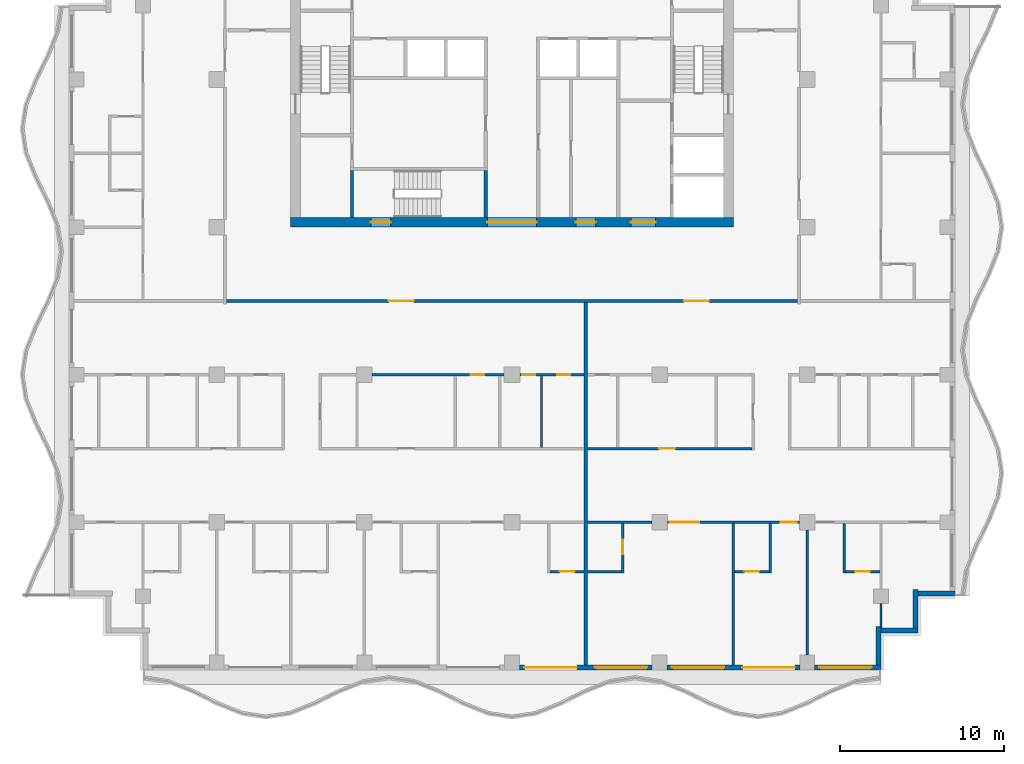
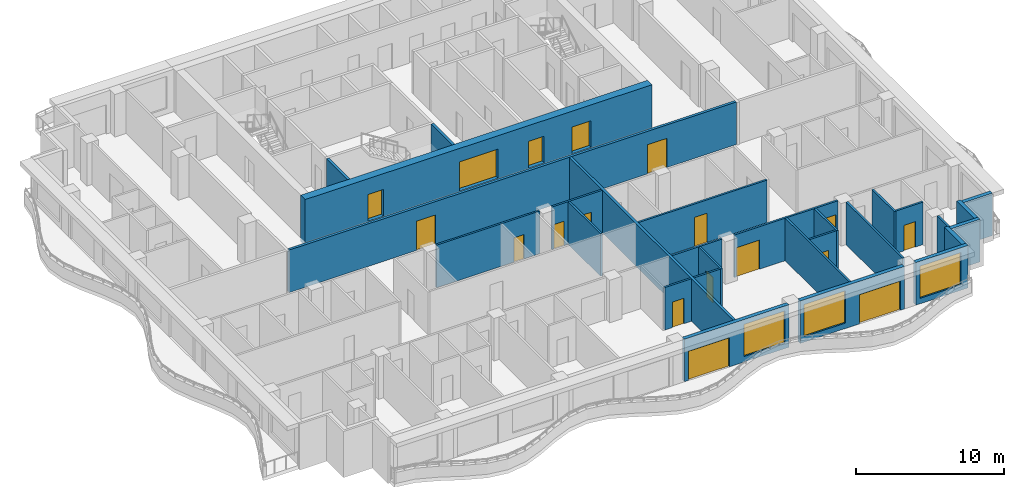
# One storey, part 3 of 12: 28 walls, 18 doors, 3 windows, 21 openings.
"""IFC4 building model written with IfcOpenShell, lengths in metres."""

from ifc_helpers import new_model, si_unit, direction, frame, frame_2d, origin, place, context, subcontext, project, spatial, rectangle, extrude, material, layer, layer_set, type_object, element, fill, save


model = new_model("IFC4")

# Units and contexts
model_context = context("Model", 3, precision=1e-05, world=origin(), true_north=direction((0.0, 1.0)))
body_context = subcontext(model_context, "Body", "Model", "MODEL_VIEW")
ifc_project = project(units=[si_unit("LENGTHUNIT", "METRE"), si_unit("AREAUNIT", "SQUARE_METRE"), si_unit("VOLUMEUNIT", "CUBIC_METRE"), si_unit("PLANEANGLEUNIT", "RADIAN"), si_unit("MASSUNIT", "GRAM", prefix="KILO")], contexts=[model_context])

# Site, building, storey
site_placement = place(None, origin())
site = spatial("IfcSite", under=ifc_project, at=site_placement, CompositionType="ELEMENT")
building_placement = place(site_placement, origin())
building = spatial("IfcBuilding", under=site, at=building_placement, Name="Orbiselva Terraces", CompositionType="ELEMENT")
storey_placement = place(building_placement, frame((0.0, 0.0, 265.4)))
storey = spatial("IfcBuildingStorey", under=building, at=storey_placement, Name="L67", CompositionType="ELEMENT", Elevation=265.4)

# Wall, openings, doors
ifc_material_1 = material(Name="Concrete C80/95", Category="concrete")
ifc_layer_1 = layer(ifc_material_1, 0.6)
ifc_layer_set_1 = layer_set([ifc_layer_1], Name="Concrete C80/95")
wall_type_1 = type_object("IfcWallType", Name="CORE WALL 600", PredefinedType="SHEAR", material=ifc_layer_set_1)
wall_1_placement = place(storey_placement, frame((-13.5, 4.8, -0.3), z_axis=(0.0, 0.0, 1.0), x_axis=(1.0, 0.0, 0.0)))
wall_1 = element("IfcWall", 1, at=wall_1_placement, inside=storey, type_object=wall_type_1, Name="Core wall L67 south", PredefinedType="SHEAR", context=body_context, shape_type="SweptSolid", body=[
    extrude(rectangle(XDim=27.0, YDim=0.6, at=frame_2d((13.5, 0.0))), origin(), (0.0, 0.0, 1.0), 3.8),
])
opening_1_placement = place(wall_1_placement, frame((12.0, 0.0, 0.3)))
opening_1 = element("IfcOpeningElement", 2, at=opening_1_placement, cuts=wall_1, Name="Opening DL3000", PredefinedType="OPENING", context=body_context, shape_type="SweptSolid", body=[
    extrude(rectangle(XDim=3.0, YDim=2.4, at=frame_2d((1.5, 1.2))), frame((0.0, 0.31, 0.0), z_axis=(0.0, -1.0, 0.0), x_axis=(1.0, 0.0, 0.0)), (0.0, 0.0, 1.0), 0.62),
])
opening_2_placement = place(wall_1_placement, frame((4.9, 0.0, 0.3)))
opening_2 = element("IfcOpeningElement", 3, at=opening_2_placement, cuts=wall_1, Name="Opening DS1200", PredefinedType="OPENING", context=body_context, shape_type="SweptSolid", body=[
    extrude(rectangle(XDim=1.2, YDim=2.2, at=frame_2d((0.6, 1.1))), frame((0.0, 0.31, 0.0), z_axis=(0.0, -1.0, 0.0), x_axis=(1.0, 0.0, 0.0)), (0.0, 0.0, 1.0), 0.62),
])
opening_3_placement = place(wall_1_placement, frame((20.75, 0.0, 0.3)))
opening_3 = element("IfcOpeningElement", 4, at=opening_3_placement, cuts=wall_1, Name="Opening DF1500", PredefinedType="OPENING", context=body_context, shape_type="SweptSolid", body=[
    extrude(rectangle(XDim=1.5, YDim=2.2, at=frame_2d((0.75, 1.1))), frame((0.0, 0.31, 0.0), z_axis=(0.0, -1.0, 0.0), x_axis=(1.0, 0.0, 0.0)), (0.0, 0.0, 1.0), 0.62),
])
opening_4_placement = place(wall_1_placement, frame((17.4, 0.0, 0.3)))
opening_4 = element("IfcOpeningElement", 5, at=opening_4_placement, cuts=wall_1, Name="Opening DV1200", PredefinedType="OPENING", context=body_context, shape_type="SweptSolid", body=[
    extrude(rectangle(XDim=1.2, YDim=2.2, at=frame_2d((0.6, 1.1))), frame((0.0, 0.31, 0.0), z_axis=(0.0, -1.0, 0.0), x_axis=(1.0, 0.0, 0.0)), (0.0, 0.0, 1.0), 0.62),
])
ifc_material_2 = material(Name="Steel fire door", Category="steel")
door_type_1 = type_object("IfcDoorType", Name="FFL DOOR 1500", OperationType="DOUBLE_DOOR_SINGLE_SWING", PredefinedType="DOOR", material=ifc_material_2)
door_1_placement = place(opening_3_placement, frame((1.5, 0.0, 0.0), z_axis=(0.0, 0.0, 1.0), x_axis=(-1.0, 0.0, 0.0)))
door_1 = element("IfcDoor", 6, at=door_1_placement, inside=storey, type_object=door_type_1, Name="L67 FIRE-FIGHTING LOBBY door", OperationType="DOUBLE_DOOR_SINGLE_SWING", OverallHeight=2.2, OverallWidth=1.5, PredefinedType="DOOR", context=body_context, shape_type="SweptSolid", body=[
    extrude(rectangle(XDim=1.5, YDim=2.2, at=frame_2d((0.75, 1.1))), frame((0.0, 0.025, 0.0), z_axis=(0.0, -1.0, 0.0), x_axis=(1.0, 0.0, 0.0)), (0.0, 0.0, 1.0), 0.05),
])
fill(opening_3, door_1)
door_type_2 = type_object("IfcDoorType", Name="LOBBY DOOR 3000", OperationType="DOUBLE_DOOR_SINGLE_SWING", PredefinedType="DOOR", material=ifc_material_2)
door_2_placement = place(opening_1_placement, frame((3.0, 0.0, 0.0), z_axis=(0.0, 0.0, 1.0), x_axis=(-1.0, 0.0, 0.0)))
door_2 = element("IfcDoor", 7, at=door_2_placement, inside=storey, type_object=door_type_2, Name="L67 LIFT LOBBY door", OperationType="DOUBLE_DOOR_SINGLE_SWING", OverallHeight=2.4, OverallWidth=3.0, PredefinedType="DOOR", context=body_context, shape_type="SweptSolid", body=[
    extrude(rectangle(XDim=3.0, YDim=2.4, at=frame_2d((1.5, 1.2))), frame((0.0, 0.025, 0.0), z_axis=(0.0, -1.0, 0.0), x_axis=(1.0, 0.0, 0.0)), (0.0, 0.0, 1.0), 0.05),
])
fill(opening_1, door_2)
door_type_3 = type_object("IfcDoorType", Name="SERVICE DOOR 1200", OperationType="NOTDEFINED", PredefinedType="DOOR", material=ifc_material_2)
door_3_placement = place(opening_4_placement, frame((1.2, 0.0, 0.0), z_axis=(0.0, 0.0, 1.0), x_axis=(-1.0, 0.0, 0.0)))
door_3 = element("IfcDoor", 8, at=door_3_placement, inside=storey, type_object=door_type_3, Name="L67 SERVICE ROOM door", OperationType="SINGLE_SWING_RIGHT", OverallHeight=2.2, OverallWidth=1.2, PredefinedType="DOOR", context=body_context, shape_type="SweptSolid", body=[
    extrude(rectangle(XDim=1.2, YDim=2.2, at=frame_2d((0.6, 1.1))), frame((0.0, 0.025, 0.0), z_axis=(0.0, -1.0, 0.0), x_axis=(1.0, 0.0, 0.0)), (0.0, 0.0, 1.0), 0.05),
])
fill(opening_4, door_3)
door_type_4 = type_object("IfcDoorType", Name="STAIR DOOR 1200", OperationType="NOTDEFINED", PredefinedType="DOOR", material=ifc_material_2)
door_4_placement = place(opening_2_placement, frame((1.2, 0.0, 0.0), z_axis=(0.0, 0.0, 1.0), x_axis=(-1.0, 0.0, 0.0)))
door_4 = element("IfcDoor", 9, at=door_4_placement, inside=storey, type_object=door_type_4, Name="L67 EXIT STAIR S3 door", OperationType="SINGLE_SWING_LEFT", OverallHeight=2.2, OverallWidth=1.2, PredefinedType="DOOR", context=body_context, shape_type="SweptSolid", body=[
    extrude(rectangle(XDim=1.2, YDim=2.2, at=frame_2d((0.6, 1.1))), frame((0.0, 0.025, 0.0), z_axis=(0.0, -1.0, 0.0), x_axis=(1.0, 0.0, 0.0)), (0.0, 0.0, 1.0), 0.05),
])
fill(opening_2, door_4)

# Walls
ifc_material_3 = material(Name="Concrete C60/75", Category="concrete")
ifc_layer_2 = layer(ifc_material_3, 0.2)
ifc_layer_set_2 = layer_set([ifc_layer_2], Name="Concrete C60/75")
wall_type_2 = type_object("IfcWallType", Name="CORE-WALL-SHEAR-200", PredefinedType="SHEAR", material=ifc_layer_set_2)
for number, where, z_axis, x_axis, name in (
    (10, (-9.75, 5.1, 0.0), (0.0, 0.0, 1.0), (0.0, 1.0, 0.0), "L67 core wall 03"),
    (11, (-1.6, 5.1, 0.0), (0.0, 0.0, 1.0), (0.0, 1.0, 0.0), "L67 core wall 18"),
):
    element("IfcWall", number, at=place(storey_placement, frame(where, z_axis=z_axis, x_axis=x_axis)), inside=storey, type_object=wall_type_2, Name=name, PredefinedType="SHEAR", context=body_context, shape_type="SweptSolid", body=[
        extrude(rectangle(XDim=2.85, YDim=0.2, at=frame_2d((1.425, 0.0))), origin(), (0.0, 0.0, 1.0), 3.5),
    ])

# Wall, openings, door, window
ifc_material_4 = material(Name="Terracotta cladding on masonry backing", Category="masonry")
ifc_layer_3 = layer(ifc_material_4, 0.3)
ifc_layer_set_3 = layer_set([ifc_layer_3], Name="Terracotta cladding on masonry backing")
wall_type_3 = type_object("IfcWallType", Name="ENV-WALL-TERRACOTTA-300", PredefinedType="SOLIDWALL", material=ifc_layer_set_3)
wall_2_placement = place(storey_placement, frame((8.55, -22.35, 0.0), z_axis=(0.0, 0.0, 1.0), x_axis=(-1.0, 0.0, 0.0)))
wall_2 = element("IfcWall", 12, at=wall_2_placement, inside=storey, type_object=wall_type_3, Name="Facade wall L67 S", PredefinedType="SOLIDWALL", context=body_context, shape_type="SweptSolid", body=[
    extrude(rectangle(XDim=8.1, YDim=0.3, at=frame_2d((4.05, 0.0))), origin(), (0.0, 0.0, 1.0), 3.5),
])
opening_5_placement = place(wall_2_placement, frame((4.6, 0.0, 0.0)))
opening_5 = element("IfcOpeningElement", 13, at=opening_5_placement, cuts=wall_2, Name="Opening Z5-C-E03", PredefinedType="OPENING", context=body_context, shape_type="SweptSolid", body=[
    extrude(rectangle(XDim=3.2, YDim=2.4, at=frame_2d((1.6, 1.2))), frame((0.0, 0.16, 0.0), z_axis=(0.0, -1.0, 0.0), x_axis=(1.0, 0.0, 0.0)), (0.0, 0.0, 1.0), 0.32),
])
opening_6_placement = place(wall_2_placement, frame((0.3, 0.0, 0.45)))
opening_6 = element("IfcOpeningElement", 14, at=opening_6_placement, cuts=wall_2, Name="Opening WN17", PredefinedType="OPENING", context=body_context, shape_type="SweptSolid", body=[
    extrude(rectangle(XDim=3.2, YDim=2.65, at=frame_2d((1.6, 1.325))), frame((0.0, 0.16, 0.0), z_axis=(0.0, -1.0, 0.0), x_axis=(1.0, 0.0, 0.0)), (0.0, 0.0, 1.0), 0.32),
])
ifc_material_5 = material(Name="Clear low-e glazing in aluminium frame", Category="aluminium")
door_type_5 = type_object("IfcDoorType", Name="BALCONY DOOR 3200 X 2400", OperationType="DOUBLE_DOOR_SLIDING", PredefinedType="DOOR", material=ifc_material_5)
door_5_placement = place(opening_5_placement, origin())
door_5 = element("IfcDoor", 15, at=door_5_placement, inside=storey, type_object=door_type_5, Name="Z5-C-E03", OperationType="SINGLE_SWING_LEFT", OverallHeight=2.4, OverallWidth=3.2, PredefinedType="DOOR", context=body_context, shape_type="SweptSolid", body=[
    extrude(rectangle(XDim=3.2, YDim=2.4, at=frame_2d((1.6, 1.2))), frame((0.0, 0.025, 0.0), z_axis=(0.0, -1.0, 0.0), x_axis=(1.0, 0.0, 0.0)), (0.0, 0.0, 1.0), 0.05),
])
fill(opening_5, door_5)
window_type = type_object("IfcWindowType", Name="WINDOW 3200 X 2650 S450", PartitioningType="TRIPLE_PANEL_VERTICAL", PredefinedType="WINDOW", material=ifc_material_5)
window_1_placement = place(opening_6_placement, origin())
window_1 = element("IfcWindow", 16, at=window_1_placement, inside=storey, type_object=window_type, Name="Window L67 S", OverallHeight=2.65, OverallWidth=3.2, PartitioningType="SINGLE_PANEL", PredefinedType="WINDOW", context=body_context, shape_type="SweptSolid", body=[
    extrude(rectangle(XDim=3.2, YDim=2.65, at=frame_2d((1.6, 1.325))), frame((0.0, 0.03, 0.0), z_axis=(0.0, -1.0, 0.0), x_axis=(1.0, 0.0, 0.0)), (0.0, 0.0, 1.0), 0.06),
])
fill(opening_6, window_1)

wall_3_placement = place(storey_placement, frame((17.55, -22.35, 0.0), z_axis=(0.0, 0.0, 1.0), x_axis=(-1.0, 0.0, 0.0)))
wall_3 = element("IfcWall", 17, at=wall_3_placement, inside=storey, type_object=wall_type_3, Name="Facade wall L67 S", PredefinedType="SOLIDWALL", context=body_context, shape_type="SweptSolid", body=[
    extrude(rectangle(XDim=8.1, YDim=0.3, at=frame_2d((4.05, 0.0))), origin(), (0.0, 0.0, 1.0), 3.5),
])
opening_7_placement = place(wall_3_placement, frame((4.6, 0.0, 0.45)))
opening_7 = element("IfcOpeningElement", 18, at=opening_7_placement, cuts=wall_3, Name="Opening WN17", PredefinedType="OPENING", context=body_context, shape_type="SweptSolid", body=[
    extrude(rectangle(XDim=3.2, YDim=2.65, at=frame_2d((1.6, 1.325))), frame((0.0, 0.16, 0.0), z_axis=(0.0, -1.0, 0.0), x_axis=(1.0, 0.0, 0.0)), (0.0, 0.0, 1.0), 0.32),
])
opening_8_placement = place(wall_3_placement, frame((0.3, 0.0, 0.0)))
opening_8 = element("IfcOpeningElement", 19, at=opening_8_placement, cuts=wall_3, Name="Opening Z5-C-E04", PredefinedType="OPENING", context=body_context, shape_type="SweptSolid", body=[
    extrude(rectangle(XDim=3.2, YDim=2.4, at=frame_2d((1.6, 1.2))), frame((0.0, 0.16, 0.0), z_axis=(0.0, -1.0, 0.0), x_axis=(1.0, 0.0, 0.0)), (0.0, 0.0, 1.0), 0.32),
])
door_6_placement = place(opening_8_placement, origin())
door_6 = element("IfcDoor", 20, at=door_6_placement, inside=storey, type_object=door_type_5, Name="Z5-C-E04", OperationType="SINGLE_SWING_LEFT", OverallHeight=2.4, OverallWidth=3.2, PredefinedType="DOOR", context=body_context, shape_type="SweptSolid", body=[
    extrude(rectangle(XDim=3.2, YDim=2.4, at=frame_2d((1.6, 1.2))), frame((0.0, 0.025, 0.0), z_axis=(0.0, -1.0, 0.0), x_axis=(1.0, 0.0, 0.0)), (0.0, 0.0, 1.0), 0.05),
])
fill(opening_8, door_6)
window_2_placement = place(opening_7_placement, origin())
window_2 = element("IfcWindow", 21, at=window_2_placement, inside=storey, type_object=window_type, Name="Window L67 S", OverallHeight=2.65, OverallWidth=3.2, PartitioningType="SINGLE_PANEL", PredefinedType="WINDOW", context=body_context, shape_type="SweptSolid", body=[
    extrude(rectangle(XDim=3.2, YDim=2.65, at=frame_2d((1.6, 1.325))), frame((0.0, 0.03, 0.0), z_axis=(0.0, -1.0, 0.0), x_axis=(1.0, 0.0, 0.0)), (0.0, 0.0, 1.0), 0.06),
])
fill(opening_7, window_2)

# Wall, opening, window
wall_4_placement = place(storey_placement, frame((22.5, -22.35, 0.0), z_axis=(0.0, 0.0, 1.0), x_axis=(-1.0, 0.0, 0.0)))
wall_4 = element("IfcWall", 22, at=wall_4_placement, inside=storey, type_object=wall_type_3, Name="Facade wall L67 S", PredefinedType="SOLIDWALL", context=body_context, shape_type="SweptSolid", body=[
    extrude(rectangle(XDim=4.05, YDim=0.3, at=frame_2d((2.025, 0.0))), origin(), (0.0, 0.0, 1.0), 3.5),
])
opening_9_placement = place(wall_4_placement, frame((0.55, 0.0, 0.45)))
opening_9 = element("IfcOpeningElement", 23, at=opening_9_placement, cuts=wall_4, Name="Opening WN17", PredefinedType="OPENING", context=body_context, shape_type="SweptSolid", body=[
    extrude(rectangle(XDim=3.2, YDim=2.65, at=frame_2d((1.6, 1.325))), frame((0.0, 0.16, 0.0), z_axis=(0.0, -1.0, 0.0), x_axis=(1.0, 0.0, 0.0)), (0.0, 0.0, 1.0), 0.32),
])
window_3_placement = place(opening_9_placement, origin())
window_3 = element("IfcWindow", 24, at=window_3_placement, inside=storey, type_object=window_type, Name="Window L67 S", OverallHeight=2.65, OverallWidth=3.2, PartitioningType="SINGLE_PANEL", PredefinedType="WINDOW", context=body_context, shape_type="SweptSolid", body=[
    extrude(rectangle(XDim=3.2, YDim=2.65, at=frame_2d((1.6, 1.325))), frame((0.0, 0.03, 0.0), z_axis=(0.0, -1.0, 0.0), x_axis=(1.0, 0.0, 0.0)), (0.0, 0.0, 1.0), 0.06),
])
fill(opening_9, window_3)

# Walls
wall_5_placement = place(storey_placement, frame((22.35, -19.85, 0.0), z_axis=(0.0, 0.0, 1.0), x_axis=(0.0, -1.0, 0.0)))
element("IfcWall", 25, at=wall_5_placement, inside=storey, type_object=wall_type_3, Name="Facade wall L67 STEP", PredefinedType="SOLIDWALL", context=body_context, shape_type="SweptSolid", body=[
    extrude(rectangle(XDim=2.35, YDim=0.3, at=frame_2d((1.175, 0.0))), origin(), (0.0, 0.0, 1.0), 3.5),
])
wall_6_placement = place(storey_placement, frame((24.75, -20.1, 0.0), z_axis=(0.0, 0.0, 1.0), x_axis=(-1.0, 0.0, 0.0)))
element("IfcWall", 26, at=wall_6_placement, inside=storey, type_object=wall_type_3, Name="Facade wall L67 STEP", PredefinedType="SOLIDWALL", context=body_context, shape_type="SweptSolid", body=[
    extrude(rectangle(XDim=2.25, YDim=0.3, at=frame_2d((1.125, 0.0))), origin(), (0.0, 0.0, 1.0), 3.5),
])
wall_7_placement = place(storey_placement, frame((24.6, -17.6, 0.0), z_axis=(0.0, 0.0, 1.0), x_axis=(0.0, -1.0, 0.0)))
element("IfcWall", 27, at=wall_7_placement, inside=storey, type_object=wall_type_3, Name="Facade wall L67 STEP", PredefinedType="SOLIDWALL", context=body_context, shape_type="SweptSolid", body=[
    extrude(rectangle(XDim=2.35, YDim=0.3, at=frame_2d((1.175, 0.0))), origin(), (0.0, 0.0, 1.0), 3.5),
])
wall_8_placement = place(storey_placement, frame((27.0, -17.85, 0.0), z_axis=(0.0, 0.0, 1.0), x_axis=(-1.0, 0.0, 0.0)))
element("IfcWall", 28, at=wall_8_placement, inside=storey, type_object=wall_type_3, Name="Facade wall L67 STEP", PredefinedType="SOLIDWALL", context=body_context, shape_type="SweptSolid", body=[
    extrude(rectangle(XDim=2.25, YDim=0.3, at=frame_2d((1.125, 0.0))), origin(), (0.0, 0.0, 1.0), 3.5),
])

# Wall, openings, doors
ifc_material_6 = material(Name="Plasterboard on steel stud partition", Category="steel")
ifc_layer_4 = layer(ifc_material_6, 0.2)
ifc_layer_set_4 = layer_set([ifc_layer_4], Name="Plasterboard on steel stud partition")
wall_type_4 = type_object("IfcWallType", Name="UNIT-ENTRANCE-WALL-200", PredefinedType="PARTITIONING", material=ifc_layer_set_4)
wall_9_placement = place(storey_placement, frame((17.4, 0.0, 0.0), z_axis=(0.0, 0.0, 1.0), x_axis=(-1.0, 0.0, 0.0)))
wall_9 = element("IfcWall", 29, at=wall_9_placement, inside=storey, type_object=wall_type_4, Name="PARTITION L67-029", PredefinedType="PARTITIONING", context=body_context, shape_type="SweptSolid", body=[
    extrude(rectangle(XDim=34.8, YDim=0.2, at=frame_2d((17.4, 0.0))), origin(), (0.0, 0.0, 1.0), 3.5),
])
opening_10_placement = place(wall_9_placement, frame((23.4, 0.0, 0.0)))
opening_10 = element("IfcOpeningElement", 30, at=opening_10_placement, cuts=wall_9, Name="Opening Z5-C-15", PredefinedType="OPENING", context=body_context, shape_type="SweptSolid", body=[
    extrude(rectangle(XDim=1.5, YDim=2.4, at=frame_2d((0.75, 1.2))), frame((0.0, 0.11, 0.0), z_axis=(0.0, -1.0, 0.0), x_axis=(1.0, 0.0, 0.0)), (0.0, 0.0, 1.0), 0.22),
])
opening_11_placement = place(wall_9_placement, frame((5.4, 0.0, 0.0)))
opening_11 = element("IfcOpeningElement", 31, at=opening_11_placement, cuts=wall_9, Name="Opening Z5-C-37", PredefinedType="OPENING", context=body_context, shape_type="SweptSolid", body=[
    extrude(rectangle(XDim=1.5, YDim=2.4, at=frame_2d((0.75, 1.2))), frame((0.0, 0.11, 0.0), z_axis=(0.0, -1.0, 0.0), x_axis=(1.0, 0.0, 0.0)), (0.0, 0.0, 1.0), 0.22),
])
ifc_material_7 = material(Name="Painted timber door leaf", Category="wood")
door_type_6 = type_object("IfcDoorType", Name="ENTRANCE DOUBLE DOOR 1500", OperationType="NOTDEFINED", PredefinedType="DOOR", material=ifc_material_7)
door_7_placement = place(opening_10_placement, origin())
door_7 = element("IfcDoor", 32, at=door_7_placement, inside=storey, type_object=door_type_6, Name="Z5-C-15", OperationType="DOUBLE_DOOR_SINGLE_SWING", OverallHeight=2.4, OverallWidth=1.5, PredefinedType="DOOR", context=body_context, shape_type="SweptSolid", body=[
    extrude(rectangle(XDim=1.5, YDim=2.4, at=frame_2d((0.75, 1.2))), frame((0.0, 0.025, 0.0), z_axis=(0.0, -1.0, 0.0), x_axis=(1.0, 0.0, 0.0)), (0.0, 0.0, 1.0), 0.05),
])
fill(opening_10, door_7)
door_8_placement = place(opening_11_placement, origin())
door_8 = element("IfcDoor", 33, at=door_8_placement, inside=storey, type_object=door_type_6, Name="Z5-C-37", OperationType="DOUBLE_DOOR_SINGLE_SWING", OverallHeight=2.4, OverallWidth=1.5, PredefinedType="DOOR", context=body_context, shape_type="SweptSolid", body=[
    extrude(rectangle(XDim=1.5, YDim=2.4, at=frame_2d((0.75, 1.2))), frame((0.0, 0.025, 0.0), z_axis=(0.0, -1.0, 0.0), x_axis=(1.0, 0.0, 0.0)), (0.0, 0.0, 1.0), 0.05),
])
fill(opening_11, door_8)

# Wall, opening, door
ifc_layer_5 = layer(ifc_material_6, 0.15)
ifc_layer_set_5 = layer_set([ifc_layer_5], Name="Plasterboard on steel stud partition")
wall_type_5 = type_object("IfcWallType", Name="UNIT-PARTITION-150", PredefinedType="PARTITIONING", material=ifc_layer_set_5)
wall_10_placement = place(storey_placement, frame((2.325, -16.5, 0.0), z_axis=(0.0, 0.0, 1.0), x_axis=(1.0, 0.0, 0.0)))
wall_10 = element("IfcWall", 34, at=wall_10_placement, inside=storey, type_object=wall_type_5, Name="PARTITION L67-005", PredefinedType="PARTITIONING", context=body_context, shape_type="SweptSolid", body=[
    extrude(rectangle(XDim=2.075, YDim=0.15, at=frame_2d((1.0375, 0.0))), origin(), (0.0, 0.0, 1.0), 3.5),
])
opening_12_placement = place(wall_10_placement, frame((0.6, 0.0, 0.0)))
opening_12 = element("IfcOpeningElement", 35, at=opening_12_placement, cuts=wall_10, Name="Opening Z5-C-27", PredefinedType="OPENING", context=body_context, shape_type="SweptSolid", body=[
    extrude(rectangle(XDim=0.9, YDim=2.1, at=frame_2d((0.45, 1.05))), frame((0.0, 0.085, 0.0), z_axis=(0.0, -1.0, 0.0), x_axis=(1.0, 0.0, 0.0)), (0.0, 0.0, 1.0), 0.17),
])
door_type_7 = type_object("IfcDoorType", Name="BATH DOOR 900", OperationType="NOTDEFINED", PredefinedType="DOOR", material=ifc_material_7)
door_9_placement = place(opening_12_placement, origin())
door_9 = element("IfcDoor", 36, at=door_9_placement, inside=storey, type_object=door_type_7, Name="Z5-C-27", OperationType="SINGLE_SWING_RIGHT", OverallHeight=2.1, OverallWidth=0.9, PredefinedType="DOOR", context=body_context, shape_type="SweptSolid", body=[
    extrude(rectangle(XDim=0.9, YDim=2.1, at=frame_2d((0.45, 1.05))), frame((0.0, 0.025, 0.0), z_axis=(0.0, -1.0, 0.0), x_axis=(1.0, 0.0, 0.0)), (0.0, 0.0, 1.0), 0.05),
])
fill(opening_12, door_9)

# Wall
wall_11_placement = place(storey_placement, frame((4.6, -16.5, 0.0), z_axis=(0.0, 0.0, 1.0), x_axis=(1.0, 0.0, 0.0)))
element("IfcWall", 37, at=wall_11_placement, inside=storey, type_object=wall_type_5, Name="PARTITION L67-006", PredefinedType="PARTITIONING", context=body_context, shape_type="SweptSolid", body=[
    extrude(rectangle(XDim=2.075, YDim=0.15, at=frame_2d((1.0375, 0.0))), origin(), (0.0, 0.0, 1.0), 3.5),
])

# Wall, opening, door
wall_12_placement = place(storey_placement, frame((13.575, -16.5, 0.0), z_axis=(0.0, 0.0, 1.0), x_axis=(1.0, 0.0, 0.0)))
wall_12 = element("IfcWall", 38, at=wall_12_placement, inside=storey, type_object=wall_type_5, Name="PARTITION L67-007", PredefinedType="PARTITIONING", context=body_context, shape_type="SweptSolid", body=[
    extrude(rectangle(XDim=2.1, YDim=0.15, at=frame_2d((1.05, 0.0))), origin(), (0.0, 0.0, 1.0), 3.5),
])
opening_13_placement = place(wall_12_placement, frame((0.6, 0.0, 0.0)))
opening_13 = element("IfcOpeningElement", 39, at=opening_13_placement, cuts=wall_12, Name="Opening Z5-C-48", PredefinedType="OPENING", context=body_context, shape_type="SweptSolid", body=[
    extrude(rectangle(XDim=0.9, YDim=2.1, at=frame_2d((0.45, 1.05))), frame((0.0, 0.085, 0.0), z_axis=(0.0, -1.0, 0.0), x_axis=(1.0, 0.0, 0.0)), (0.0, 0.0, 1.0), 0.17),
])
door_10_placement = place(opening_13_placement, origin())
door_10 = element("IfcDoor", 40, at=door_10_placement, inside=storey, type_object=door_type_7, Name="Z5-C-48", OperationType="SINGLE_SWING_LEFT", OverallHeight=2.1, OverallWidth=0.9, PredefinedType="DOOR", context=body_context, shape_type="SweptSolid", body=[
    extrude(rectangle(XDim=0.9, YDim=2.1, at=frame_2d((0.45, 1.05))), frame((0.0, 0.025, 0.0), z_axis=(0.0, -1.0, 0.0), x_axis=(1.0, 0.0, 0.0)), (0.0, 0.0, 1.0), 0.05),
])
fill(opening_13, door_10)

wall_13_placement = place(storey_placement, frame((20.325, -16.5, 0.0), z_axis=(0.0, 0.0, 1.0), x_axis=(1.0, 0.0, 0.0)))
wall_13 = element("IfcWall", 41, at=wall_13_placement, inside=storey, type_object=wall_type_5, Name="PARTITION L67-008", PredefinedType="PARTITIONING", context=body_context, shape_type="SweptSolid", body=[
    extrude(rectangle(XDim=2.1, YDim=0.15, at=frame_2d((1.05, 0.0))), origin(), (0.0, 0.0, 1.0), 3.5),
])
opening_14_placement = place(wall_13_placement, frame((0.6, 0.0, 0.0)))
opening_14 = element("IfcOpeningElement", 42, at=opening_14_placement, cuts=wall_13, Name="Opening Z5-C-50", PredefinedType="OPENING", context=body_context, shape_type="SweptSolid", body=[
    extrude(rectangle(XDim=0.9, YDim=2.1, at=frame_2d((0.45, 1.05))), frame((0.0, 0.085, 0.0), z_axis=(0.0, -1.0, 0.0), x_axis=(1.0, 0.0, 0.0)), (0.0, 0.0, 1.0), 0.17),
])
door_11_placement = place(opening_14_placement, origin())
door_11 = element("IfcDoor", 43, at=door_11_placement, inside=storey, type_object=door_type_7, Name="Z5-C-50", OperationType="SINGLE_SWING_LEFT", OverallHeight=2.1, OverallWidth=0.9, PredefinedType="DOOR", context=body_context, shape_type="SweptSolid", body=[
    extrude(rectangle(XDim=0.9, YDim=2.1, at=frame_2d((0.45, 1.05))), frame((0.0, 0.025, 0.0), z_axis=(0.0, -1.0, 0.0), x_axis=(1.0, 0.0, 0.0)), (0.0, 0.0, 1.0), 0.05),
])
fill(opening_14, door_11)

# Wall
wall_14_placement = place(storey_placement, frame((4.6, -13.5, 0.0), z_axis=(0.0, 0.0, 1.0), x_axis=(1.0, 0.0, 0.0)))
element("IfcWall", 44, at=wall_14_placement, inside=storey, type_object=wall_type_5, Name="PARTITION L67-013", PredefinedType="PARTITIONING", context=body_context, shape_type="SweptSolid", body=[
    extrude(rectangle(XDim=3.925, YDim=0.15, at=frame_2d((1.9625, 0.0))), origin(), (0.0, 0.0, 1.0), 3.5),
])

# Wall, openings, doors
wall_15_placement = place(storey_placement, frame((17.525, -13.5, 0.0), z_axis=(0.0, 0.0, 1.0), x_axis=(-1.0, 0.0, 0.0)))
wall_15 = element("IfcWall", 45, at=wall_15_placement, inside=storey, type_object=wall_type_5, Name="PARTITION L67-014", PredefinedType="PARTITIONING", context=body_context, shape_type="SweptSolid", body=[
    extrude(rectangle(XDim=8.05, YDim=0.15, at=frame_2d((4.025, 0.0))), origin(), (0.0, 0.0, 1.0), 3.5),
])
opening_15_placement = place(wall_15_placement, frame((6.1, 0.0, 0.0)))
opening_15 = element("IfcOpeningElement", 46, at=opening_15_placement, cuts=wall_15, Name="Opening Z5-C-45", PredefinedType="OPENING", context=body_context, shape_type="SweptSolid", body=[
    extrude(rectangle(XDim=1.8, YDim=2.4, at=frame_2d((0.9, 1.2))), frame((0.0, 0.085, 0.0), z_axis=(0.0, -1.0, 0.0), x_axis=(1.0, 0.0, 0.0)), (0.0, 0.0, 1.0), 0.17),
])
opening_16_placement = place(wall_15_placement, frame((0.15, 0.0, 0.0)))
opening_16 = element("IfcOpeningElement", 47, at=opening_16_placement, cuts=wall_15, Name="Opening Z5-C-47", PredefinedType="OPENING", context=body_context, shape_type="SweptSolid", body=[
    extrude(rectangle(XDim=1.0, YDim=2.4, at=frame_2d((0.5, 1.2))), frame((0.0, 0.085, 0.0), z_axis=(0.0, -1.0, 0.0), x_axis=(1.0, 0.0, 0.0)), (0.0, 0.0, 1.0), 0.17),
])
door_type_8 = type_object("IfcDoorType", Name="DOUBLE DOOR 1800", OperationType="NOTDEFINED", PredefinedType="DOOR", material=ifc_material_7)
door_12_placement = place(opening_15_placement, origin())
door_12 = element("IfcDoor", 48, at=door_12_placement, inside=storey, type_object=door_type_8, Name="Z5-C-45", OperationType="DOUBLE_DOOR_SINGLE_SWING", OverallHeight=2.4, OverallWidth=1.8, PredefinedType="DOOR", context=body_context, shape_type="SweptSolid", body=[
    extrude(rectangle(XDim=1.8, YDim=2.4, at=frame_2d((0.9, 1.2))), frame((0.0, 0.025, 0.0), z_axis=(0.0, -1.0, 0.0), x_axis=(1.0, 0.0, 0.0)), (0.0, 0.0, 1.0), 0.05),
])
fill(opening_15, door_12)
door_type_9 = type_object("IfcDoorType", Name="ROOM DOOR 1000", OperationType="NOTDEFINED", PredefinedType="DOOR", material=ifc_material_7)
door_13_placement = place(opening_16_placement, origin())
door_13 = element("IfcDoor", 49, at=door_13_placement, inside=storey, type_object=door_type_9, Name="Z5-C-47", OperationType="SINGLE_SWING_LEFT", OverallHeight=2.4, OverallWidth=1.0, PredefinedType="DOOR", context=body_context, shape_type="SweptSolid", body=[
    extrude(rectangle(XDim=1.0, YDim=2.4, at=frame_2d((0.5, 1.2))), frame((0.0, 0.025, 0.0), z_axis=(0.0, -1.0, 0.0), x_axis=(1.0, 0.0, 0.0)), (0.0, 0.0, 1.0), 0.05),
])
fill(opening_16, door_13)

# Wall, opening, door
wall_16_placement = place(storey_placement, frame((4.6, -9.0, 0.0), z_axis=(0.0, 0.0, 1.0), x_axis=(1.0, 0.0, 0.0)))
wall_16 = element("IfcWall", 50, at=wall_16_placement, inside=storey, type_object=wall_type_5, Name="PARTITION L67-018", PredefinedType="PARTITIONING", context=body_context, shape_type="SweptSolid", body=[
    extrude(rectangle(XDim=10.025, YDim=0.15, at=frame_2d((5.0125, 0.0))), origin(), (0.0, 0.0, 1.0), 3.5),
])
opening_17_placement = place(wall_16_placement, frame((4.35, 0.0, 0.0)))
opening_17 = element("IfcOpeningElement", 51, at=opening_17_placement, cuts=wall_16, Name="Opening Z5-C-39", PredefinedType="OPENING", context=body_context, shape_type="SweptSolid", body=[
    extrude(rectangle(XDim=1.0, YDim=2.4, at=frame_2d((0.5, 1.2))), frame((0.0, 0.085, 0.0), z_axis=(0.0, -1.0, 0.0), x_axis=(1.0, 0.0, 0.0)), (0.0, 0.0, 1.0), 0.17),
])
door_14_placement = place(opening_17_placement, origin())
door_14 = element("IfcDoor", 52, at=door_14_placement, inside=storey, type_object=door_type_9, Name="Z5-C-39", OperationType="SINGLE_SWING_LEFT", OverallHeight=2.4, OverallWidth=1.0, PredefinedType="DOOR", context=body_context, shape_type="SweptSolid", body=[
    extrude(rectangle(XDim=1.0, YDim=2.4, at=frame_2d((0.5, 1.2))), frame((0.0, 0.025, 0.0), z_axis=(0.0, -1.0, 0.0), x_axis=(1.0, 0.0, 0.0)), (0.0, 0.0, 1.0), 0.05),
])
fill(opening_17, door_14)

wall_17_placement = place(storey_placement, frame((-0.475, -4.5, 0.0), z_axis=(0.0, 0.0, 1.0), x_axis=(-1.0, 0.0, 0.0)))
wall_17 = element("IfcWall", 53, at=wall_17_placement, inside=storey, type_object=wall_type_5, Name="PARTITION L67-023", PredefinedType="PARTITIONING", context=body_context, shape_type="SweptSolid", body=[
    extrude(rectangle(XDim=8.05, YDim=0.15, at=frame_2d((4.025, 0.0))), origin(), (0.0, 0.0, 1.0), 3.5),
])
opening_18_placement = place(wall_17_placement, frame((1.225, 0.0, 0.0)))
opening_18 = element("IfcOpeningElement", 54, at=opening_18_placement, cuts=wall_17, Name="Opening Z5-C-18", PredefinedType="OPENING", context=body_context, shape_type="SweptSolid", body=[
    extrude(rectangle(XDim=0.8, YDim=2.0, at=frame_2d((0.4, 1.0))), frame((0.0, 0.085, 0.0), z_axis=(0.0, -1.0, 0.0), x_axis=(1.0, 0.0, 0.0)), (0.0, 0.0, 1.0), 0.17),
])
door_type_10 = type_object("IfcDoorType", Name="STORE DOOR 800", OperationType="NOTDEFINED", PredefinedType="DOOR", material=ifc_material_7)
door_15_placement = place(opening_18_placement, origin())
door_15 = element("IfcDoor", 55, at=door_15_placement, inside=storey, type_object=door_type_10, Name="Z5-C-18", OperationType="SINGLE_SWING_LEFT", OverallHeight=2.0, OverallWidth=0.8, PredefinedType="DOOR", context=body_context, shape_type="SweptSolid", body=[
    extrude(rectangle(XDim=0.8, YDim=2.0, at=frame_2d((0.4, 1.0))), frame((0.0, 0.025, 0.0), z_axis=(0.0, -1.0, 0.0), x_axis=(1.0, 0.0, 0.0)), (0.0, 0.0, 1.0), 0.05),
])
fill(opening_18, door_15)

# Wall, openings, doors
wall_18_placement = place(storey_placement, frame((4.4, -4.5, 0.0), z_axis=(0.0, 0.0, 1.0), x_axis=(-1.0, 0.0, 0.0)))
wall_18 = element("IfcWall", 56, at=wall_18_placement, inside=storey, type_object=wall_type_5, Name="PARTITION L67-024", PredefinedType="PARTITIONING", context=body_context, shape_type="SweptSolid", body=[
    extrude(rectangle(XDim=3.925, YDim=0.15, at=frame_2d((1.9625, 0.0))), origin(), (0.0, 0.0, 1.0), 3.5),
])
opening_19_placement = place(wall_18_placement, frame((0.85, 0.0, 0.0)))
opening_19 = element("IfcOpeningElement", 57, at=opening_19_placement, cuts=wall_18, Name="Opening Z5-C-16", PredefinedType="OPENING", context=body_context, shape_type="SweptSolid", body=[
    extrude(rectangle(XDim=0.8, YDim=2.0, at=frame_2d((0.4, 1.0))), frame((0.0, 0.085, 0.0), z_axis=(0.0, -1.0, 0.0), x_axis=(1.0, 0.0, 0.0)), (0.0, 0.0, 1.0), 0.17),
])
opening_20_placement = place(wall_18_placement, frame((2.975, 0.0, 0.0)))
opening_20 = element("IfcOpeningElement", 58, at=opening_20_placement, cuts=wall_18, Name="Opening Z5-C-17", PredefinedType="OPENING", context=body_context, shape_type="SweptSolid", body=[
    extrude(rectangle(XDim=0.8, YDim=2.0, at=frame_2d((0.4, 1.0))), frame((0.0, 0.085, 0.0), z_axis=(0.0, -1.0, 0.0), x_axis=(1.0, 0.0, 0.0)), (0.0, 0.0, 1.0), 0.17),
])
door_16_placement = place(opening_19_placement, origin())
door_16 = element("IfcDoor", 59, at=door_16_placement, inside=storey, type_object=door_type_10, Name="Z5-C-16", OperationType="SINGLE_SWING_LEFT", OverallHeight=2.0, OverallWidth=0.8, PredefinedType="DOOR", context=body_context, shape_type="SweptSolid", body=[
    extrude(rectangle(XDim=0.8, YDim=2.0, at=frame_2d((0.4, 1.0))), frame((0.0, 0.025, 0.0), z_axis=(0.0, -1.0, 0.0), x_axis=(1.0, 0.0, 0.0)), (0.0, 0.0, 1.0), 0.05),
])
fill(opening_19, door_16)
door_17_placement = place(opening_20_placement, origin())
door_17 = element("IfcDoor", 60, at=door_17_placement, inside=storey, type_object=door_type_10, Name="Z5-C-17", OperationType="SINGLE_SWING_RIGHT", OverallHeight=2.0, OverallWidth=0.8, PredefinedType="DOOR", context=body_context, shape_type="SweptSolid", body=[
    extrude(rectangle(XDim=0.8, YDim=2.0, at=frame_2d((0.4, 1.0))), frame((0.0, 0.025, 0.0), z_axis=(0.0, -1.0, 0.0), x_axis=(1.0, 0.0, 0.0)), (0.0, 0.0, 1.0), 0.05),
])
fill(opening_20, door_17)

# Wall
wall_19_placement = place(storey_placement, frame((1.8, -8.925, 0.0), z_axis=(0.0, 0.0, 1.0), x_axis=(0.0, 1.0, 0.0)))
element("IfcWall", 61, at=wall_19_placement, inside=storey, type_object=wall_type_5, Name="PARTITION L67-069", PredefinedType="PARTITIONING", context=body_context, shape_type="SweptSolid", body=[
    extrude(rectangle(XDim=4.35, YDim=0.15, at=frame_2d((2.175, 0.0))), origin(), (0.0, 0.0, 1.0), 3.5),
])

# Wall, opening, door
wall_20_placement = place(storey_placement, frame((6.75, -16.575, 0.0), z_axis=(0.0, 0.0, 1.0), x_axis=(0.0, 1.0, 0.0)))
wall_20 = element("IfcWall", 62, at=wall_20_placement, inside=storey, type_object=wall_type_5, Name="PARTITION L67-073", PredefinedType="PARTITIONING", context=body_context, shape_type="SweptSolid", body=[
    extrude(rectangle(XDim=3.0, YDim=0.15, at=frame_2d((1.5, 0.0))), origin(), (0.0, 0.0, 1.0), 3.5),
])
opening_21_placement = place(wall_20_placement, frame((1.125, 0.0, 0.0)))
opening_21 = element("IfcOpeningElement", 63, at=opening_21_placement, cuts=wall_20, Name="Opening Z5-C-46", PredefinedType="OPENING", context=body_context, shape_type="SweptSolid", body=[
    extrude(rectangle(XDim=0.9, YDim=2.1, at=frame_2d((0.45, 1.05))), frame((0.0, 0.085, 0.0), z_axis=(0.0, -1.0, 0.0), x_axis=(1.0, 0.0, 0.0)), (0.0, 0.0, 1.0), 0.17),
])
door_18_placement = place(opening_21_placement, origin())
door_18 = element("IfcDoor", 64, at=door_18_placement, inside=storey, type_object=door_type_7, Name="Z5-C-46", OperationType="SINGLE_SWING_RIGHT", OverallHeight=2.1, OverallWidth=0.9, PredefinedType="DOOR", context=body_context, shape_type="SweptSolid", body=[
    extrude(rectangle(XDim=0.9, YDim=2.1, at=frame_2d((0.45, 1.05))), frame((0.0, 0.025, 0.0), z_axis=(0.0, -1.0, 0.0), x_axis=(1.0, 0.0, 0.0)), (0.0, 0.0, 1.0), 0.05),
])
fill(opening_21, door_18)

# Walls
wall_21_placement = place(storey_placement, frame((13.5, -22.2, 0.0), z_axis=(0.0, 0.0, 1.0), x_axis=(0.0, 1.0, 0.0)))
element("IfcWall", 65, at=wall_21_placement, inside=storey, type_object=wall_type_5, Name="PARTITION L67-075", PredefinedType="PARTITIONING", context=body_context, shape_type="SweptSolid", body=[
    extrude(rectangle(XDim=8.625, YDim=0.15, at=frame_2d((4.3125, 0.0))), origin(), (0.0, 0.0, 1.0), 3.5),
])
wall_22_placement = place(storey_placement, frame((15.75, -16.575, 0.0), z_axis=(0.0, 0.0, 1.0), x_axis=(0.0, 1.0, 0.0)))
element("IfcWall", 66, at=wall_22_placement, inside=storey, type_object=wall_type_5, Name="PARTITION L67-077", PredefinedType="PARTITIONING", context=body_context, shape_type="SweptSolid", body=[
    extrude(rectangle(XDim=3.0, YDim=0.15, at=frame_2d((1.5, 0.0))), origin(), (0.0, 0.0, 1.0), 3.5),
])
wall_23_placement = place(storey_placement, frame((18.0, -21.6, 0.0), z_axis=(0.0, 0.0, 1.0), x_axis=(0.0, 1.0, 0.0)))
element("IfcWall", 67, at=wall_23_placement, inside=storey, type_object=wall_type_5, Name="PARTITION L67-083", PredefinedType="PARTITIONING", context=body_context, shape_type="SweptSolid", body=[
    extrude(rectangle(XDim=7.625, YDim=0.15, at=frame_2d((3.8125, 0.0))), origin(), (0.0, 0.0, 1.0), 3.5),
])
wall_24_placement = place(storey_placement, frame((20.25, -16.575, 0.0), z_axis=(0.0, 0.0, 1.0), x_axis=(0.0, 1.0, 0.0)))
element("IfcWall", 68, at=wall_24_placement, inside=storey, type_object=wall_type_5, Name="PARTITION L67-085", PredefinedType="PARTITIONING", context=body_context, shape_type="SweptSolid", body=[
    extrude(rectangle(XDim=3.0, YDim=0.15, at=frame_2d((1.5, 0.0))), origin(), (0.0, 0.0, 1.0), 3.5),
])
wall_25_placement = place(storey_placement, frame((22.5, -19.95, 0.0), z_axis=(0.0, 0.0, 1.0), x_axis=(0.0, 1.0, 0.0)))
element("IfcWall", 69, at=wall_25_placement, inside=storey, type_object=wall_type_5, Name="PARTITION L67-087", PredefinedType="PARTITIONING", context=body_context, shape_type="SweptSolid", body=[
    extrude(rectangle(XDim=1.5, YDim=0.15, at=frame_2d((0.75, 0.0))), origin(), (0.0, 0.0, 1.0), 3.5),
])
ifc_layer_6 = layer(ifc_material_6, 0.2)
ifc_layer_set_6 = layer_set([ifc_layer_6], Name="Plasterboard on steel stud partition")
wall_type_6 = type_object("IfcWallType", Name="UNIT-PARTY-WALL-200", PredefinedType="PARTITIONING", material=ifc_layer_set_6)
wall_26_placement = place(storey_placement, frame((4.5, -22.2, 0.0), z_axis=(0.0, 0.0, 1.0), x_axis=(0.0, 1.0, 0.0)))
element("IfcWall", 70, at=wall_26_placement, inside=storey, type_object=wall_type_6, Name="PARTITION L67-071", PredefinedType="PARTITIONING", context=body_context, shape_type="SweptSolid", body=[
    extrude(rectangle(XDim=22.1, YDim=0.2, at=frame_2d((11.05, 0.0))), origin(), (0.0, 0.0, 1.0), 3.5),
])

save(model, "model.ifc")
